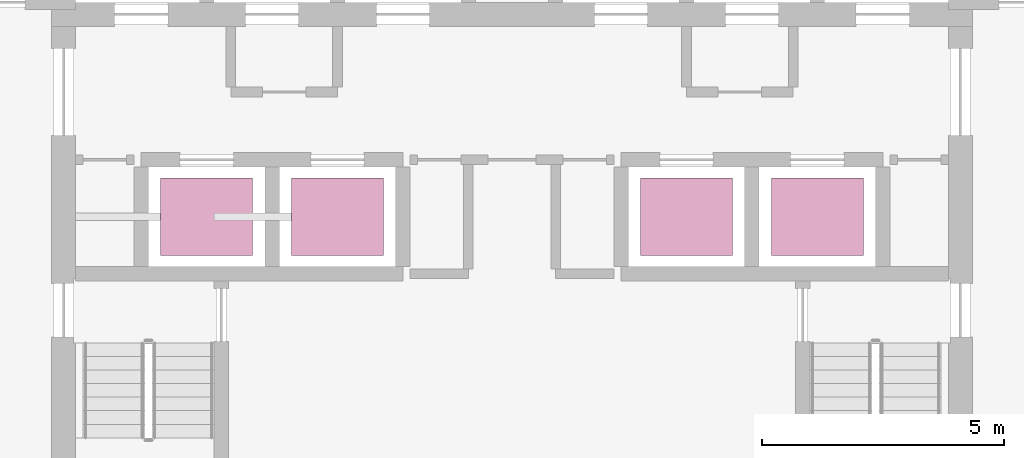
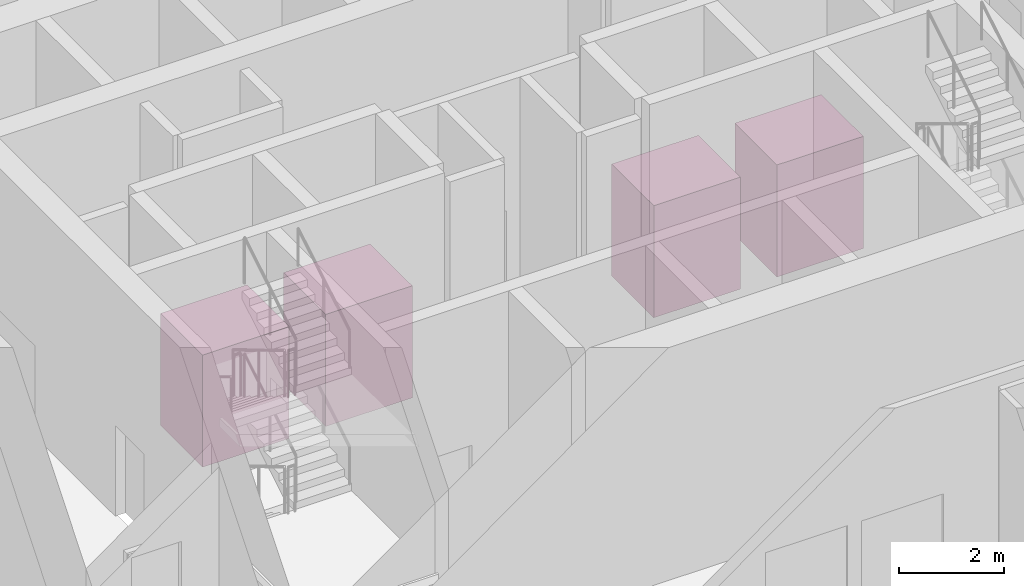
# One storey, part 12 of 12: 4 transport elements.
"""IFC4 building model written with IfcOpenShell, lengths in metres."""

from ifc_helpers import new_model, si_unit, direction, frame, origin, origin_2d, place, context, subcontext, project, spatial, rectangle, extrude, material, type_object, element, save


model = new_model("IFC4")

# Units and contexts
model_context = context("Model", 3, precision=1e-05, world=origin(), true_north=direction((0.0, 1.0)))
body_context = subcontext(model_context, "Body", "Model", "MODEL_VIEW")
ifc_project = project(units=[si_unit("LENGTHUNIT", "METRE"), si_unit("AREAUNIT", "SQUARE_METRE"), si_unit("VOLUMEUNIT", "CUBIC_METRE"), si_unit("PLANEANGLEUNIT", "RADIAN"), si_unit("MASSUNIT", "GRAM", prefix="KILO")], contexts=[model_context])

# Site, building, storey
site_placement = place(None, origin())
site = spatial("IfcSite", under=ifc_project, at=site_placement, CompositionType="ELEMENT")
building_placement = place(site_placement, origin())
building = spatial("IfcBuilding", under=site, at=building_placement, Name="Tskaro Facet Tower", CompositionType="ELEMENT")
storey_placement = place(building_placement, frame((0.0, 0.0, 162.300048828125)))
storey = spatial("IfcBuildingStorey", under=building, at=storey_placement, Name="L40", CompositionType="ELEMENT", Elevation=162.300048828125)

# Transport elements
ifc_material = material(Name="LIFT-HB")
transport_element_type = type_object("IfcTransportElementType", Name="LIFT-HB", PredefinedType="ELEVATOR", material=ifc_material)
for number, where, z_axis, x_axis, name in (
    (1, (-6.300048828125, -3.77490234375, 0.0), (0.0, 0.0, 1.0), (1.0, 0.0, 0.0), "Lift HB1"),
    (2, (-3.60009765625, -3.77490234375, 0.0), (0.0, 0.0, 1.0), (1.0, 0.0, 0.0), "Lift HB2"),
    (3, (3.60009765625, -3.77490234375, 0.0), (0.0, 0.0, 1.0), (1.0, 0.0, 0.0), "Lift HB3"),
    (4, (6.300048828125, -3.77490234375, 0.0), (0.0, 0.0, 1.0), (1.0, 0.0, 0.0), "Lift HB4"),
):
    element("IfcTransportElement", number, at=place(storey_placement, frame(where, z_axis=z_axis, x_axis=x_axis)), inside=storey, type_object=transport_element_type, Name=name, PredefinedType="ELEVATOR", context=body_context, shape_type="SweptSolid", body=[
        extrude(rectangle(XDim=1.89990234375, YDim=1.60009765625, at=origin_2d()), origin(), (0.0, 0.0, 1.0), 2.60009765625),
    ])

save(model, "model.ifc")
